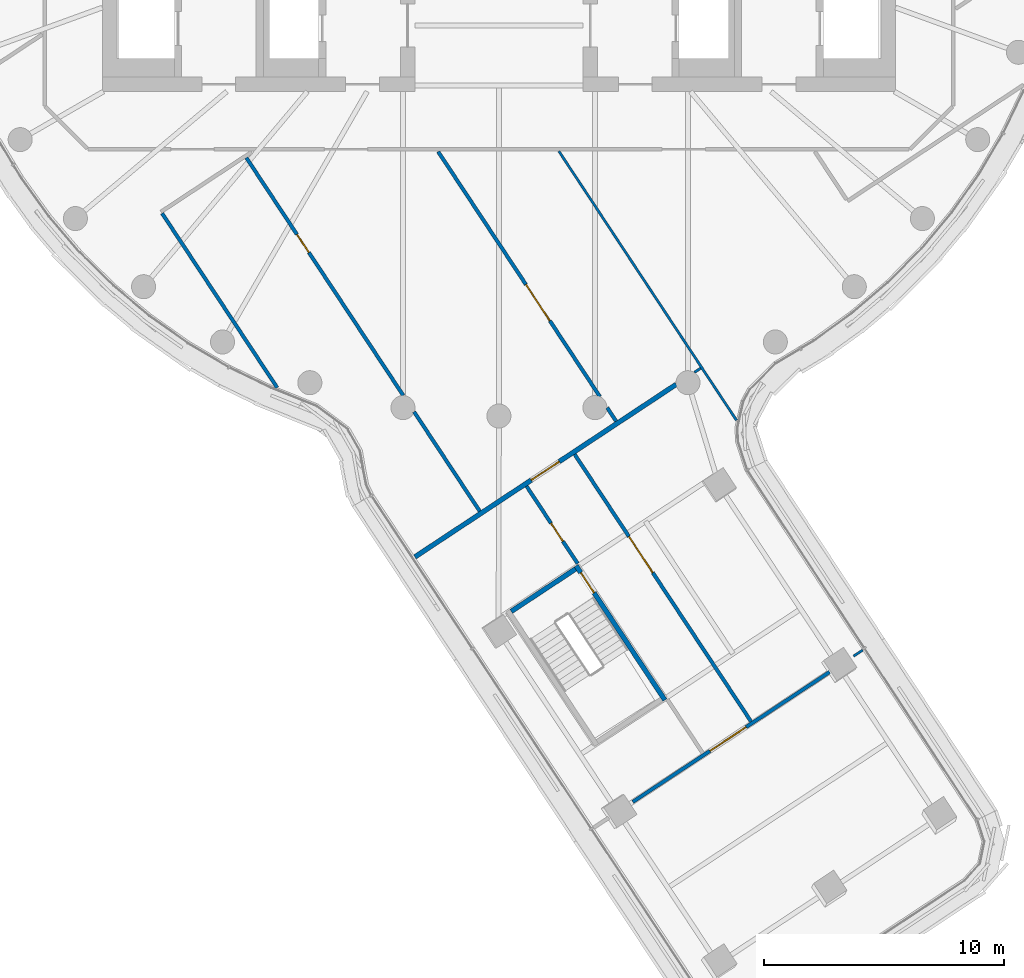
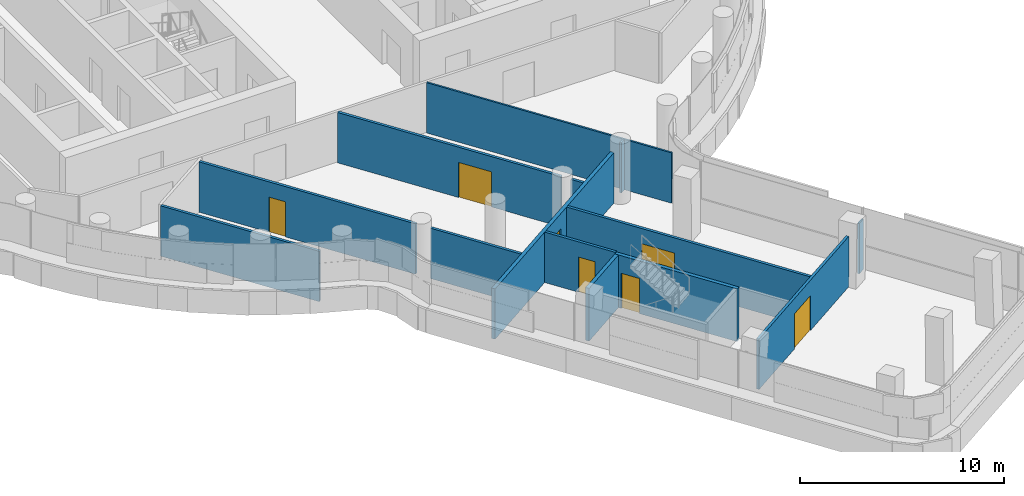
# One storey, part 22 of 35: 14 walls, 7 doors, 7 openings.
"""IFC4 building model written with IfcOpenShell, lengths in metres."""

from ifc_helpers import new_model, si_unit, direction, frame, frame_2d, origin, place, context, subcontext, project, spatial, rectangle, extrude, material, layer, layer_set, type_object, element, fill, save


model = new_model("IFC4")

# Units and contexts
model_context = context("Model", 3, precision=1e-05, world=origin(), true_north=direction((0.0, 1.0)))
body_context = subcontext(model_context, "Body", "Model", "MODEL_VIEW")
ifc_project = project(units=[si_unit("LENGTHUNIT", "METRE"), si_unit("AREAUNIT", "SQUARE_METRE"), si_unit("VOLUMEUNIT", "CUBIC_METRE"), si_unit("PLANEANGLEUNIT", "RADIAN"), si_unit("MASSUNIT", "GRAM", prefix="KILO")], contexts=[model_context])

# Site, building, storey
site_placement = place(None, origin())
site = spatial("IfcSite", under=ifc_project, at=site_placement, CompositionType="ELEMENT")
building_placement = place(site_placement, origin())
building = spatial("IfcBuilding", under=site, at=building_placement, Name="Tamarind Cross Interchange Tower", CompositionType="ELEMENT")
storey_placement = place(building_placement, frame((0.0, 0.0, 155.5)))
storey = spatial("IfcBuildingStorey", under=building, at=storey_placement, Name="L38", CompositionType="ELEMENT", Elevation=155.5)

# Walls
ifc_material_1 = material(Name="Gypsum board partition on steel studs", Category="steel")
ifc_layer_1 = layer(ifc_material_1, 0.10009765625)
ifc_layer_set_1 = layer_set([ifc_layer_1], Name="Gypsum board partition on steel studs")
wall_type_1 = type_object("IfcWallType", Name="Partition 100 mm EI 90", PredefinedType="PARTITIONING", material=ifc_layer_set_1)
wall_1_placement = place(storey_placement, frame((2.494140625, -11.9833984375, 0.0), z_axis=(0.0, 0.0, 1.0), x_axis=(0.550935265348, -0.834547981482, 0.0)))
element("IfcWall", 1, at=wall_1_placement, inside=storey, type_object=wall_type_1, Name="Partition L38-025", PredefinedType="PARTITIONING", context=body_context, shape_type="SweptSolid", body=[
    extrude(rectangle(XDim=13.413330078125, YDim=0.10009765625, at=frame_2d((6.70654296875, 0.0))), origin(), (0.0, 0.0, 1.0), 3.010009765625),
])
wall_2_placement = place(storey_placement, frame((8.1328125, -21.1826171875, 0.0), z_axis=(0.0, 0.0, 1.0), x_axis=(0.834566293678, 0.550907525321, 0.0)))
element("IfcWall", 2, at=wall_2_placement, inside=storey, type_object=wall_type_1, Name="Partition L38-062", PredefinedType="PARTITIONING", context=body_context, shape_type="SweptSolid", body=[
    extrude(rectangle(XDim=0.3125, YDim=0.10009765625, at=frame_2d((0.15625, 0.0))), origin(), (0.0, 0.0, 1.0), 3.010009765625),
])
wall_3_placement = place(storey_placement, frame((14.7568359375, -32.987548828125, 0.0), z_axis=(0.0, 0.0, 1.0), x_axis=(0.834762193085, 0.550610643737, 0.0)))
element("IfcWall", 3, at=wall_3_placement, inside=storey, type_object=wall_type_1, Name="Partition L38-065", PredefinedType="PARTITIONING", context=body_context, shape_type="SweptSolid", body=[
    extrude(rectangle(XDim=0.455322265625, YDim=0.10009765625, at=frame_2d((0.2275390625, 0.0))), origin(), (0.0, 0.0, 1.0), 3.010009765625),
])
ifc_layer_2 = layer(ifc_material_1, 0.14990234375)
ifc_layer_set_2 = layer_set([ifc_layer_2], Name="Gypsum board partition on steel studs")
wall_type_2 = type_object("IfcWallType", Name="Partition 150 mm EI 120", PredefinedType="PARTITIONING", material=ifc_layer_set_2)
wall_4_placement = place(storey_placement, frame((-14.0146484375, -14.566650390625, 0.0), z_axis=(0.0, 0.0, 1.0), x_axis=(0.550974071804, -0.834522361713, 0.0)))
element("IfcWall", 4, at=wall_4_placement, inside=storey, type_object=wall_type_2, Name="Partition L38-009", PredefinedType="PARTITIONING", context=body_context, shape_type="SweptSolid", body=[
    extrude(rectangle(XDim=8.69189453125, YDim=0.14990234375, at=frame_2d((4.345947265625, 0.0))), origin(), (0.0, 0.0, 1.0), 3.010009765625),
])

# Wall, opening, door
wall_5_placement = place(storey_placement, frame((-10.5068359375, -12.2568359375, 0.0), z_axis=(0.0, 0.0, 1.0), x_axis=(0.550961906762, -0.834530393274, 0.0)))
wall_5 = element("IfcWall", 5, at=wall_5_placement, inside=storey, type_object=wall_type_2, Name="Partition L38-013", PredefinedType="PARTITIONING", context=body_context, shape_type="SweptSolid", body=[
    extrude(rectangle(XDim=11.848388671875, YDim=0.14990234375, at=frame_2d((5.92431640625, 0.0))), origin(), (0.0, 0.0, 1.0), 3.010009765625),
])
opening_1_placement = place(wall_5_placement, frame((3.820068359375, 0.0, 0.0)))
opening_1 = element("IfcOpeningElement", 6, at=opening_1_placement, cuts=wall_5, Name="Opening D08", PredefinedType="OPENING", context=body_context, shape_type="SweptSolid", body=[
    extrude(rectangle(XDim=0.89990234375, YDim=2.10009765625, at=frame_2d((0.449951171875, 1.050048828125))), frame((0.0, 0.0849609375, 0.0), z_axis=(0.0, -1.0, 0.0), x_axis=(1.0, 0.0, 0.0)), (0.0, 0.0, 1.0), 0.169921875),
])
ifc_material_2 = material(Name="Fire-resisting door set")
door_type_1 = type_object("IfcDoorType", Name="Interior door 900 x 2100 FD60S", OperationType="SINGLE_SWING_LEFT", PredefinedType="DOOR", material=ifc_material_2)
door_1_placement = place(opening_1_placement, frame((0.89990234375, 0.0, 0.0), z_axis=(0.0, 0.0, 1.0), x_axis=(-1.0, 0.0, 0.0)))
door_1 = element("IfcDoor", 7, at=door_1_placement, inside=storey, type_object=door_type_1, Name="Door D08", OperationType="SINGLE_SWING_LEFT", OverallHeight=2.10009765625, OverallWidth=0.89990234375, PredefinedType="DOOR", context=body_context, shape_type="SweptSolid", body=[
    extrude(rectangle(XDim=0.89990234375, YDim=2.10009765625, at=frame_2d((0.449951171875, 1.050048828125))), frame((0.0, 0.02490234375, 0.0), z_axis=(0.0, -1.0, 0.0), x_axis=(1.0, 0.0, 0.0)), (0.0, 0.0, 1.0), 0.050048828125),
])
fill(opening_1, door_1)

# Wall
wall_6_placement = place(storey_placement, frame((-3.5302734375, -22.82373046875, 0.0), z_axis=(0.0, 0.0, 1.0), x_axis=(0.550978058152, -0.834519729805, 0.0)))
element("IfcWall", 8, at=wall_6_placement, inside=storey, type_object=wall_type_2, Name="Partition L38-014", PredefinedType="PARTITIONING", context=body_context, shape_type="SweptSolid", body=[
    extrude(rectangle(XDim=4.95703125, YDim=0.14990234375, at=frame_2d((2.478515625, 0.0))), origin(), (0.0, 0.0, 1.0), 3.010009765625),
])

# Wall, opening, door
wall_7_placement = place(storey_placement, frame((-2.52783203125, -12.0, 0.0), z_axis=(0.0, 0.0, 1.0), x_axis=(0.550950486362, -0.834537932977, 0.0)))
wall_7 = element("IfcWall", 9, at=wall_7_placement, inside=storey, type_object=wall_type_2, Name="Partition L38-018", PredefinedType="PARTITIONING", context=body_context, shape_type="SweptSolid", body=[
    extrude(rectangle(XDim=12.21875, YDim=0.14990234375, at=frame_2d((6.109375, 0.0))), origin(), (0.0, 0.0, 1.0), 3.010009765625),
])
opening_2_placement = place(wall_7_placement, frame((6.6298828125, 0.0, 0.0)))
opening_2 = element("IfcOpeningElement", 10, at=opening_2_placement, cuts=wall_7, Name="Opening D10", PredefinedType="OPENING", context=body_context, shape_type="SweptSolid", body=[
    extrude(rectangle(XDim=1.800048828125, YDim=2.10009765625, at=frame_2d((0.89990234375, 1.050048828125))), frame((0.0, 0.0849609375, 0.0), z_axis=(0.0, -1.0, 0.0), x_axis=(1.0, 0.0, 0.0)), (0.0, 0.0, 1.0), 0.169921875),
])
door_type_2 = type_object("IfcDoorType", Name="Interior door 1800 x 2100 FD60S", OperationType="DOUBLE_DOOR_SINGLE_SWING", PredefinedType="DOOR", material=ifc_material_2)
door_2_placement = place(opening_2_placement, origin())
door_2 = element("IfcDoor", 11, at=door_2_placement, inside=storey, type_object=door_type_2, Name="Door D10", OperationType="DOUBLE_DOOR_SINGLE_SWING", OverallHeight=2.10009765625, OverallWidth=1.800048828125, PredefinedType="DOOR", context=body_context, shape_type="SweptSolid", body=[
    extrude(rectangle(XDim=1.800048828125, YDim=2.10009765625, at=frame_2d((0.89990234375, 1.050048828125))), frame((0.0, 0.02490234375, 0.0), z_axis=(0.0, -1.0, 0.0), x_axis=(1.0, 0.0, 0.0)), (0.0, 0.0, 1.0), 0.050048828125),
])
fill(opening_2, door_2)

# Wall
wall_8_placement = place(storey_placement, frame((4.50390625, -22.65087890625, 0.0), z_axis=(0.0, 0.0, 1.0), x_axis=(0.550659540619, -0.834729938558, 0.0)))
element("IfcWall", 12, at=wall_8_placement, inside=storey, type_object=wall_type_2, Name="Partition L38-019", PredefinedType="PARTITIONING", context=body_context, shape_type="SweptSolid", body=[
    extrude(rectangle(XDim=0.67041015625, YDim=0.14990234375, at=frame_2d((0.335205078125, 0.0))), origin(), (0.0, 0.0, 1.0), 3.010009765625),
])

# Wall, opening, door
wall_9_placement = place(storey_placement, frame((1.147216796875, -25.91552734375, 0.0), z_axis=(0.0, 0.0, 1.0), x_axis=(0.550856303958, -0.834600103277, 0.0)))
wall_9 = element("IfcWall", 13, at=wall_9_placement, inside=storey, type_object=wall_type_2, Name="Partition L38-023", PredefinedType="PARTITIONING", context=body_context, shape_type="SweptSolid", body=[
    extrude(rectangle(XDim=3.86083984375, YDim=0.14990234375, at=frame_2d((1.930419921875, 0.0))), origin(), (0.0, 0.0, 1.0), 3.010009765625),
])
opening_3_placement = place(wall_9_placement, frame((1.85009765625, 0.0, 0.0)))
opening_3 = element("IfcOpeningElement", 14, at=opening_3_placement, cuts=wall_9, Name="Opening D14", PredefinedType="OPENING", context=body_context, shape_type="SweptSolid", body=[
    extrude(rectangle(XDim=0.89990234375, YDim=2.10009765625, at=frame_2d((0.449951171875, 1.050048828125))), frame((0.0, 0.0849609375, 0.0), z_axis=(0.0, -1.0, 0.0), x_axis=(1.0, 0.0, 0.0)), (0.0, 0.0, 1.0), 0.169921875),
])
door_3_placement = place(opening_3_placement, frame((0.89990234375, 0.0, 0.0), z_axis=(0.0, 0.0, 1.0), x_axis=(-1.0, 0.0, 0.0)))
door_3 = element("IfcDoor", 15, at=door_3_placement, inside=storey, type_object=door_type_1, Name="Door D14", OperationType="SINGLE_SWING_RIGHT", OverallHeight=2.10009765625, OverallWidth=0.89990234375, PredefinedType="DOOR", context=body_context, shape_type="SweptSolid", body=[
    extrude(rectangle(XDim=0.89990234375, YDim=2.10009765625, at=frame_2d((0.449951171875, 1.050048828125))), frame((0.0, 0.02490234375, 0.0), z_axis=(0.0, -1.0, 0.0), x_axis=(1.0, 0.0, 0.0)), (0.0, 0.0, 1.0), 0.050048828125),
])
fill(opening_3, door_3)

wall_10_placement = place(storey_placement, frame((3.150146484375, -24.593505859375, 0.0), z_axis=(0.0, 0.0, 1.0), x_axis=(0.550972430598, -0.83452344528, 0.0)))
wall_10 = element("IfcWall", 16, at=wall_10_placement, inside=storey, type_object=wall_type_2, Name="Partition L38-026", PredefinedType="PARTITIONING", context=body_context, shape_type="SweptSolid", body=[
    extrude(rectangle(XDim=13.31982421875, YDim=0.14990234375, at=frame_2d((6.659912109375, 0.0))), origin(), (0.0, 0.0, 1.0), 3.010009765625),
])
opening_4_placement = place(wall_10_placement, frame((4.10009765625, 0.0, 0.0)))
opening_4 = element("IfcOpeningElement", 17, at=opening_4_placement, cuts=wall_10, Name="Opening D15", PredefinedType="OPENING", context=body_context, shape_type="SweptSolid", body=[
    extrude(rectangle(XDim=1.800048828125, YDim=2.10009765625, at=frame_2d((0.89990234375, 1.050048828125))), frame((0.0, 0.0849609375, 0.0), z_axis=(0.0, -1.0, 0.0), x_axis=(1.0, 0.0, 0.0)), (0.0, 0.0, 1.0), 0.169921875),
])
door_4_placement = place(opening_4_placement, frame((1.800048828125, 0.0, 0.0), z_axis=(0.0, 0.0, 1.0), x_axis=(-1.0, 0.0, 0.0)))
door_4 = element("IfcDoor", 18, at=door_4_placement, inside=storey, type_object=door_type_2, Name="Door D15", OperationType="DOUBLE_DOOR_SINGLE_SWING", OverallHeight=2.10009765625, OverallWidth=1.800048828125, PredefinedType="DOOR", context=body_context, shape_type="SweptSolid", body=[
    extrude(rectangle(XDim=1.800048828125, YDim=2.10009765625, at=frame_2d((0.89990234375, 1.050048828125))), frame((0.0, 0.02490234375, 0.0), z_axis=(0.0, -1.0, 0.0), x_axis=(1.0, 0.0, 0.0)), (0.0, 0.0, 1.0), 0.050048828125),
])
fill(opening_4, door_4)

wall_11_placement = place(storey_placement, frame((5.5673828125, -39.054443359375, 0.0), z_axis=(0.0, 0.0, 1.0), x_axis=(0.834540340321, 0.550946839883, 0.0)))
wall_11 = element("IfcWall", 19, at=wall_11_placement, inside=storey, type_object=wall_type_2, Name="Partition L38-064", PredefinedType="PARTITIONING", context=body_context, shape_type="SweptSolid", body=[
    extrude(rectangle(XDim=9.816650390625, YDim=0.14990234375, at=frame_2d((4.908203125, 0.0))), origin(), (0.0, 0.0, 1.0), 3.010009765625),
])
opening_5_placement = place(wall_11_placement, frame((3.850341796875, 0.0, 0.0)))
opening_5 = element("IfcOpeningElement", 20, at=opening_5_placement, cuts=wall_11, Name="Opening D33", PredefinedType="OPENING", context=body_context, shape_type="SweptSolid", body=[
    extrude(rectangle(XDim=1.800048828125, YDim=2.10009765625, at=frame_2d((0.89990234375, 1.050048828125))), frame((0.0, 0.0849609375, 0.0), z_axis=(0.0, -1.0, 0.0), x_axis=(1.0, 0.0, 0.0)), (0.0, 0.0, 1.0), 0.169921875),
])
door_5_placement = place(opening_5_placement, origin())
door_5 = element("IfcDoor", 21, at=door_5_placement, inside=storey, type_object=door_type_2, Name="Door D33", OperationType="DOUBLE_DOOR_SINGLE_SWING", OverallHeight=2.10009765625, OverallWidth=1.800048828125, PredefinedType="DOOR", context=body_context, shape_type="SweptSolid", body=[
    extrude(rectangle(XDim=1.800048828125, YDim=2.10009765625, at=frame_2d((0.89990234375, 1.050048828125))), frame((0.0, 0.02490234375, 0.0), z_axis=(0.0, -1.0, 0.0), x_axis=(1.0, 0.0, 0.0)), (0.0, 0.0, 1.0), 0.050048828125),
])
fill(opening_5, door_5)

ifc_layer_3 = layer(ifc_material_1, 0.199951171875)
ifc_layer_set_3 = layer_set([ifc_layer_3], Name="Gypsum board partition on steel studs")
wall_type_3 = type_object("IfcWallType", Name="Partition 200 mm EI 180", PredefinedType="PARTITIONING", material=ifc_layer_set_3)
wall_12_placement = place(storey_placement, frame((-3.496826171875, -28.8623046875, 0.0), z_axis=(0.0, 0.0, 1.0), x_axis=(0.834472576174, 0.551049471112, 0.0)))
wall_12 = element("IfcWall", 22, at=wall_12_placement, inside=storey, type_object=wall_type_3, Name="Partition L38-061", PredefinedType="PARTITIONING", context=body_context, shape_type="SweptSolid", body=[
    extrude(rectangle(XDim=13.028564453125, YDim=0.199951171875, at=frame_2d((6.51416015625, 0.0))), origin(), (0.0, 0.0, 1.0), 3.010009765625),
])
opening_6_placement = place(wall_12_placement, frame((5.799072265625, 0.0, 0.0)))
opening_6 = element("IfcOpeningElement", 23, at=opening_6_placement, cuts=wall_12, Name="Opening D32", PredefinedType="OPENING", context=body_context, shape_type="SweptSolid", body=[
    extrude(rectangle(XDim=1.39990234375, YDim=2.10009765625, at=frame_2d((0.699951171875, 1.050048828125))), frame((0.0, 0.10986328125, 0.0), z_axis=(0.0, -1.0, 0.0), x_axis=(1.0, 0.0, 0.0)), (0.0, 0.0, 1.0), 0.219970703125),
])
door_type_3 = type_object("IfcDoorType", Name="Interior door 1400 x 2100 FD120S", OperationType="DOUBLE_DOOR_SINGLE_SWING", PredefinedType="DOOR", material=ifc_material_2)
door_6_placement = place(opening_6_placement, origin())
door_6 = element("IfcDoor", 24, at=door_6_placement, inside=storey, type_object=door_type_3, Name="Door D32", OperationType="DOUBLE_DOOR_SINGLE_SWING", OverallHeight=2.10009765625, OverallWidth=1.39990234375, PredefinedType="DOOR", context=body_context, shape_type="SweptSolid", body=[
    extrude(rectangle(XDim=1.39990234375, YDim=2.10009765625, at=frame_2d((0.699951171875, 1.050048828125))), frame((0.0, 0.02490234375, 0.0), z_axis=(0.0, -1.0, 0.0), x_axis=(1.0, 0.0, 0.0)), (0.0, 0.0, 1.0), 0.050048828125),
])
fill(opening_6, door_6)

ifc_material_3 = material(Name="Concrete C40", Category="concrete")
ifc_layer_4 = layer(ifc_material_3, 0.199951171875)
ifc_layer_set_4 = layer_set([ifc_layer_4], Name="Concrete C40")
wall_type_4 = type_object("IfcWallType", Name="Stair shaft wall 200 mm Concrete C40", PredefinedType="SHEAR", material=ifc_layer_set_4)
wall_13_placement = place(storey_placement, frame((3.212646484375, -29.2255859375, -0.139892578125), z_axis=(0.0, 0.0, 1.0), x_axis=(0.550986370222, -0.834514241837, 0.0)))
wall_13 = element("IfcWall", 25, at=wall_13_placement, inside=storey, type_object=wall_type_4, Name="Core wall CWL-L38-ST6-H", PredefinedType="SHEAR", context=body_context, shape_type="SweptSolid", body=[
    extrude(rectangle(XDim=6.7001953125, YDim=0.199951171875, at=frame_2d((3.35009765625, 0.0))), origin(), (0.0, 0.0, 1.0), 3.14990234375),
])
opening_7_placement = place(wall_13_placement, frame((0.35009765625, 0.0, 0.0)))
opening_7 = element("IfcOpeningElement", 26, at=opening_7_placement, cuts=wall_13, Name="Opening ST6L38", PredefinedType="OPENING", context=body_context, shape_type="SweptSolid", body=[
    extrude(rectangle(XDim=1.0, YDim=2.10009765625, at=frame_2d((0.5, 1.050048828125))), frame((0.0, 0.10986328125, 0.0), z_axis=(0.0, -1.0, 0.0), x_axis=(1.0, 0.0, 0.0)), (0.0, 0.0, 1.0), 0.219970703125),
])
ifc_material_4 = material(Name="Steel, fire-resisting", Category="steel")
door_type_4 = type_object("IfcDoorType", Name="Core fire door 1000 x 2100 FD90", OperationType="SINGLE_SWING_LEFT", PredefinedType="DOOR", material=ifc_material_4)
door_7_placement = place(opening_7_placement, origin())
door_7 = element("IfcDoor", 27, at=door_7_placement, inside=storey, type_object=door_type_4, Name="L38 stair door ST6", OperationType="SINGLE_SWING_LEFT", OverallHeight=2.10009765625, OverallWidth=1.0, PredefinedType="DOOR", context=body_context, shape_type="SweptSolid", body=[
    extrude(rectangle(XDim=1.0, YDim=2.10009765625, at=frame_2d((0.5, 1.050048828125))), frame((0.0, 0.02490234375, 0.0), z_axis=(0.0, -1.0, 0.0), x_axis=(1.0, 0.0, 0.0)), (0.0, 0.0, 1.0), 0.050048828125),
])
fill(opening_7, door_7)

# Wall
wall_14_placement = place(storey_placement, frame((0.513916015625, -31.127197265625, -0.139892578125), z_axis=(0.0, 0.0, 1.0), x_axis=(0.83450697199, 0.550997380847, 0.0)))
element("IfcWall", 28, at=wall_14_placement, inside=storey, type_object=wall_type_4, Name="Core wall CWL-L38-ST6-CE", PredefinedType="SHEAR", context=body_context, shape_type="SweptSolid", body=[
    extrude(rectangle(XDim=3.199951171875, YDim=0.199951171875, at=frame_2d((1.60009765625, 0.0))), origin(), (0.0, 0.0, 1.0), 3.14990234375),
])

save(model, "model.ifc")
